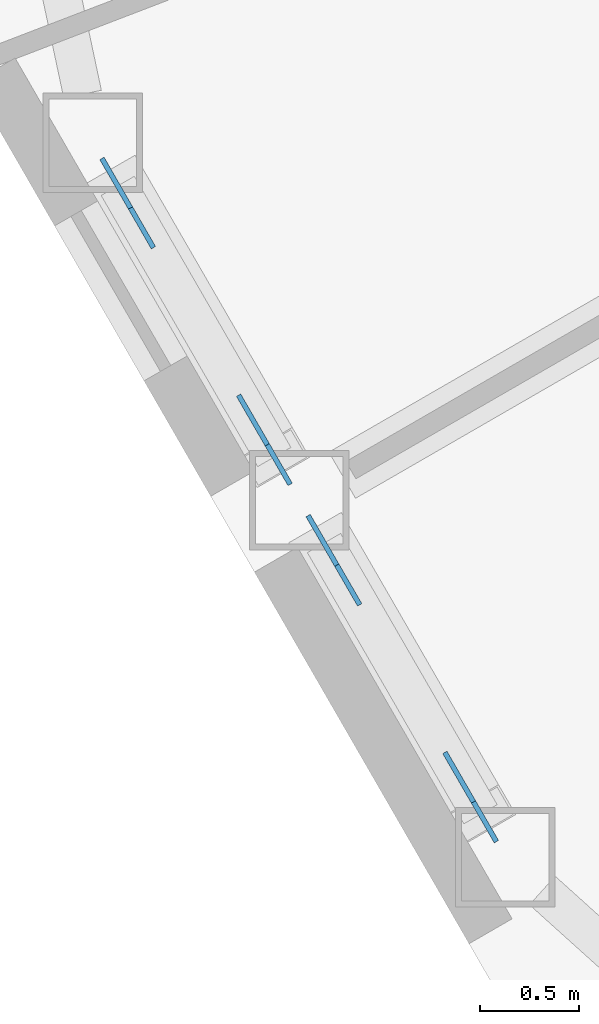
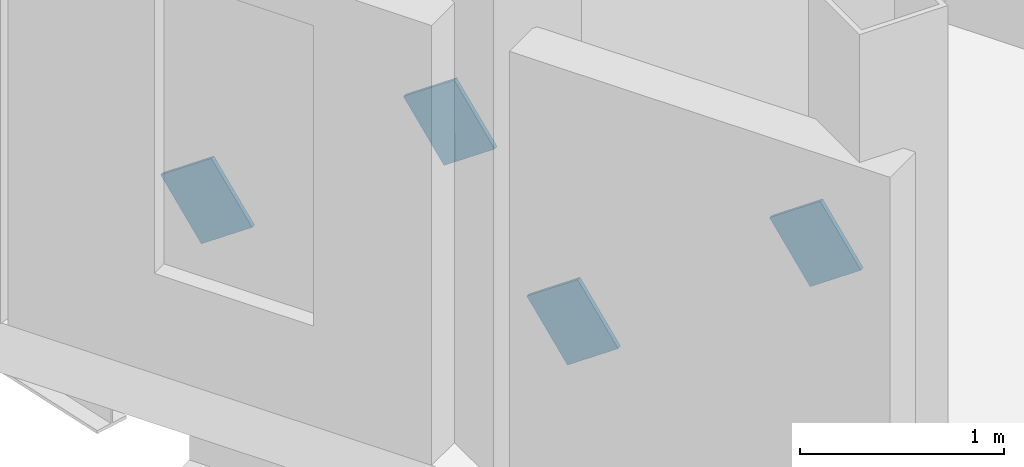
# One storey, part 18 of 26: 4 discrete accessories.
"""IFC4 building model written with IfcOpenShell, lengths in metres."""

from ifc_helpers import new_model, si_unit, direction, frame, origin, origin_2d, place, context, subcontext, project, spatial, rectangle, extrude, material, material_profile, profile_set, type_object, element, save


model = new_model("IFC4")

# Units and contexts
model_context = context("Model", 3, precision=1e-05, world=origin(), true_north=direction((0.0, 1.0)))
body_context = subcontext(model_context, "Body", "Model", "MODEL_VIEW")
ifc_project = project(units=[si_unit("LENGTHUNIT", "METRE"), si_unit("AREAUNIT", "SQUARE_METRE"), si_unit("VOLUMEUNIT", "CUBIC_METRE"), si_unit("PLANEANGLEUNIT", "RADIAN"), si_unit("MASSUNIT", "GRAM", prefix="KILO")], contexts=[model_context])

# Site, building, storey
site_placement = place(None, origin())
site = spatial("IfcSite", under=ifc_project, at=site_placement, CompositionType="ELEMENT")
building_placement = place(site_placement, origin())
building = spatial("IfcBuilding", under=site, at=building_placement, Name="Cormorant Prow Tower", CompositionType="ELEMENT")
storey_placement = place(building_placement, frame((0.0, 0.0, 364.39990234375)))
storey = spatial("IfcBuildingStorey", under=building, at=storey_placement, Name="L81", CompositionType="ELEMENT", Elevation=364.39990234375)

# Discrete accessories
ifc_material = material(Name="Structural steel ASTM A500 Gr C", Category="steel")
ifc_material_profile = material_profile(ifc_material, rectangle(XDim=0.02490234375, YDim=0.405029296875, at=origin_2d()), Name="Gusset plate 25x405")
ifc_profile_set = profile_set([ifc_material_profile], Name="Structural steel ASTM A500 Gr C")
discrete_accessory_type = type_object("IfcDiscreteAccessoryType", Name="Gusset plate 25x405", PredefinedType="BRACKET", material=ifc_profile_set)
discrete_accessory_1_placement = place(storey_placement, frame((-27.8271484375, -14.2412109375, 0.94140625), z_axis=(-0.410852891059, 0.712191514043, -0.569195176748), x_axis=(-0.866199709737, -0.499697971631, 0.0)))
element("IfcDiscreteAccessory", 1, at=discrete_accessory_1_placement, inside=storey, type_object=discrete_accessory_type, Name="Gusset plate GP3 L81.WSW00.g0", PredefinedType="BRACKET", context=body_context, shape_type="SweptSolid", body=[
    extrude(rectangle(XDim=0.02490234375, YDim=0.405029296875, at=origin_2d()), origin(), (0.0, 0.0, 1.0), 0.35009765625),
])
discrete_accessory_2_placement = place(storey_placement, frame((-27.28369140625, -15.182373046875, 1.69287109375), z_axis=(0.411595697368, -0.712269842394, 0.568560158228), x_axis=(0.865832418869, 0.500334110806, 0.0)))
element("IfcDiscreteAccessory", 2, at=discrete_accessory_2_placement, inside=storey, type_object=discrete_accessory_type, Name="Gusset plate GP3 L81.WSW00.g1", PredefinedType="BRACKET", context=body_context, shape_type="SweptSolid", body=[
    extrude(rectangle(XDim=0.02490234375, YDim=0.405029296875, at=origin_2d()), origin(), (0.0, 0.0, 1.0), 0.349853515625),
])
discrete_accessory_3_placement = place(storey_placement, frame((-26.7900390625, -16.037109375, 0.94140625), z_axis=(-0.411432439557, 0.711987323368, -0.5690319842), x_axis=(-0.865832418869, -0.500334110806, 0.0)))
element("IfcDiscreteAccessory", 3, at=discrete_accessory_3_placement, inside=storey, type_object=discrete_accessory_type, Name="Gusset plate GP3 L81.WSW01.g0", PredefinedType="BRACKET", context=body_context, shape_type="SweptSolid", body=[
    extrude(rectangle(XDim=0.02490234375, YDim=0.405029296875, at=origin_2d()), origin(), (0.0, 0.0, 1.0), 0.35009765625),
])
discrete_accessory_4_placement = place(storey_placement, frame((-26.246826171875, -16.978271484375, 1.69287109375), z_axis=(0.411595697368, -0.712269842394, 0.568560158228), x_axis=(0.865832418869, 0.500334110806, 0.0)))
element("IfcDiscreteAccessory", 4, at=discrete_accessory_4_placement, inside=storey, type_object=discrete_accessory_type, Name="Gusset plate GP3 L81.WSW01.g1", PredefinedType="BRACKET", context=body_context, shape_type="SweptSolid", body=[
    extrude(rectangle(XDim=0.02490234375, YDim=0.405029296875, at=origin_2d()), origin(), (0.0, 0.0, 1.0), 0.349853515625),
])

save(model, "model.ifc")
